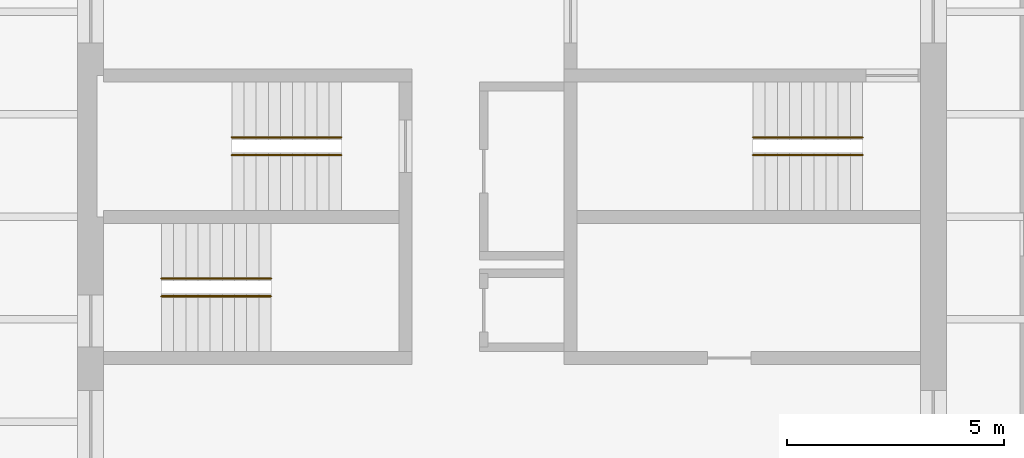
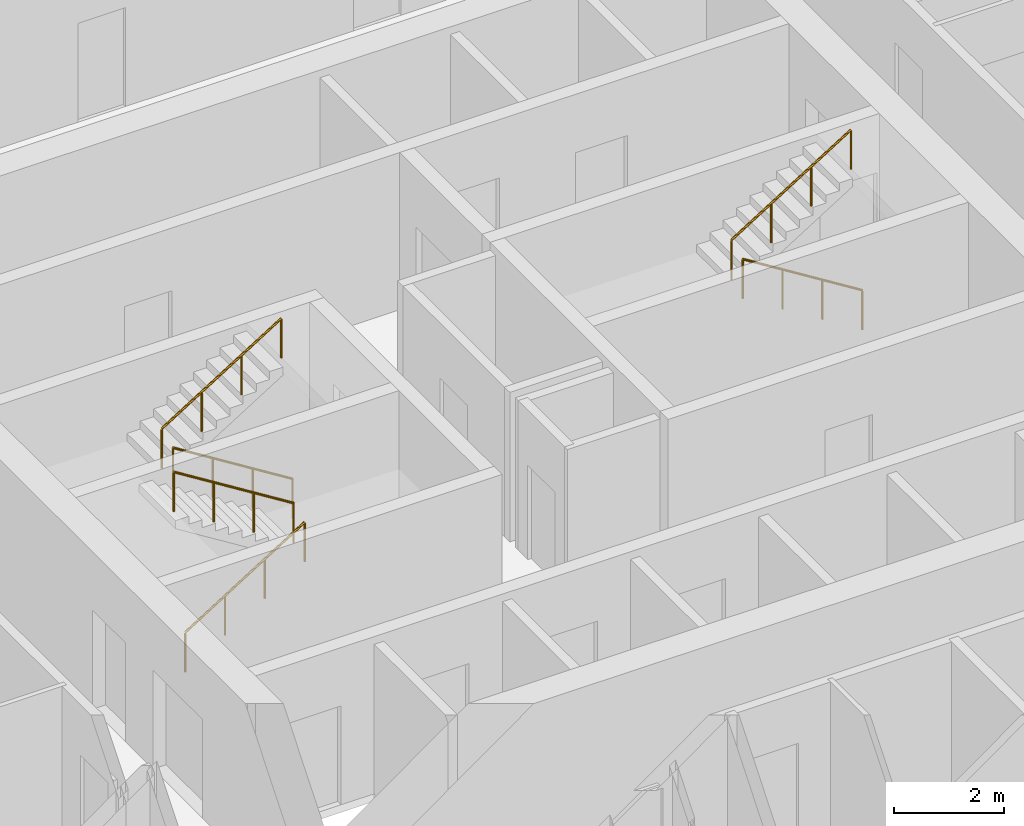
# One storey, part 9 of 9: 6 railings.
"""IFC4 building model written with IfcOpenShell, lengths in metres."""

from ifc_helpers import new_model, si_unit, direction, frame, origin, origin_2d, place, context, subcontext, project, spatial, circle, extrude, material, type_object, element, save


model = new_model("IFC4")

# Units and contexts
model_context = context("Model", 3, precision=1e-05, world=origin(), true_north=direction((0.0, 1.0)))
body_context = subcontext(model_context, "Body", "Model", "MODEL_VIEW")
ifc_project = project(units=[si_unit("LENGTHUNIT", "METRE"), si_unit("AREAUNIT", "SQUARE_METRE"), si_unit("VOLUMEUNIT", "CUBIC_METRE"), si_unit("PLANEANGLEUNIT", "RADIAN"), si_unit("MASSUNIT", "GRAM", prefix="KILO")], contexts=[model_context])

# Site, building, storey
site_placement = place(None, origin())
site = spatial("IfcSite", under=ifc_project, at=site_placement, CompositionType="ELEMENT")
building_placement = place(site_placement, origin())
building = spatial("IfcBuilding", under=site, at=building_placement, Name="Turquesa Mirador Hotel Tower", CompositionType="ELEMENT")
storey_placement = place(building_placement, frame((0.0, 0.0, 214.300048828125)))
storey = spatial("IfcBuildingStorey", under=building, at=storey_placement, Name="L58", CompositionType="ELEMENT", Elevation=214.300048828125)

# Railings
ifc_material = material(Name="Painted steel handrail", Category="steel")
railing_type = type_object("IfcRailingType", Name="HANDRAIL 900 STEEL", PredefinedType="HANDRAIL", material=ifc_material)
railing_1_placement = place(storey_placement, frame((51.070068359375, 46.419921875, 0.175048828125)))
element("IfcRailing", 1, at=railing_1_placement, inside=storey, type_object=railing_type, Name="Handrail ST1", PredefinedType="HANDRAIL", context=body_context, shape_type="SweptSolid", body=[
    extrude(circle(Radius=0.02392578125, at=origin_2d()), frame((0.0, 0.0, 0.8759765625), z_axis=(-0.848007534815, 0.0, 0.529984170421), x_axis=(0.0, -1.0, 0.0)), (0.0, 0.0, 1.0), 2.9716796875),
    extrude(circle(Radius=0.02099609375, at=origin_2d()), origin(), (0.0, 0.0, 1.0), 0.851806640625),
    extrude(circle(Radius=0.02099609375, at=origin_2d()), frame((-0.840087890625, 0.0, 0.52490234375)), (0.0, 0.0, 1.0), 0.851806640625),
    extrude(circle(Radius=0.02099609375, at=origin_2d()), frame((-1.679931640625, 0.0, 1.050048828125)), (0.0, 0.0, 1.0), 0.851806640625),
    extrude(circle(Radius=0.02099609375, at=origin_2d()), frame((-2.52001953125, 0.0, 1.574951171875)), (0.0, 0.0, 1.0), 0.851806640625),
])
for number, where, name in (
    (2, (48.550048828125, 46.830078125, 1.925048828125), "Handrail ST1"),
    (3, (46.929931640625, 43.169921875, 0.175048828125), "Handrail ST2"),
):
    element("IfcRailing", number, at=place(storey_placement, frame(where)), inside=storey, type_object=railing_type, Name=name, PredefinedType="HANDRAIL", context=body_context, shape_type="SweptSolid", body=[
        extrude(circle(Radius=0.02392578125, at=origin_2d()), frame((0.0, 0.0, 0.8759765625), z_axis=(0.848007534815, 0.0, 0.529984170421), x_axis=(0.0, 1.0, 0.0)), (0.0, 0.0, 1.0), 2.9716796875),
        extrude(circle(Radius=0.02099609375, at=origin_2d()), origin(), (0.0, 0.0, 1.0), 0.851806640625),
        extrude(circle(Radius=0.02099609375, at=origin_2d()), frame((0.840087890625, 0.0, 0.52490234375)), (0.0, 0.0, 1.0), 0.851806640625),
        extrude(circle(Radius=0.02099609375, at=origin_2d()), frame((1.679931640625, 0.0, 1.050048828125)), (0.0, 0.0, 1.0), 0.851806640625),
        extrude(circle(Radius=0.02099609375, at=origin_2d()), frame((2.52001953125, 0.0, 1.574951171875)), (0.0, 0.0, 1.0), 0.851806640625),
    ])
for number, where, name in (
    (4, (49.449951171875, 43.580078125, 1.925048828125), "Handrail ST2"),
    (5, (63.070068359375, 46.419921875, 0.175048828125), "Handrail ST3"),
):
    element("IfcRailing", number, at=place(storey_placement, frame(where)), inside=storey, type_object=railing_type, Name=name, PredefinedType="HANDRAIL", context=body_context, shape_type="SweptSolid", body=[
        extrude(circle(Radius=0.02392578125, at=origin_2d()), frame((0.0, 0.0, 0.8759765625), z_axis=(-0.848007534815, 0.0, 0.529984170421), x_axis=(0.0, -1.0, 0.0)), (0.0, 0.0, 1.0), 2.9716796875),
        extrude(circle(Radius=0.02099609375, at=origin_2d()), origin(), (0.0, 0.0, 1.0), 0.851806640625),
        extrude(circle(Radius=0.02099609375, at=origin_2d()), frame((-0.840087890625, 0.0, 0.52490234375)), (0.0, 0.0, 1.0), 0.851806640625),
        extrude(circle(Radius=0.02099609375, at=origin_2d()), frame((-1.679931640625, 0.0, 1.050048828125)), (0.0, 0.0, 1.0), 0.851806640625),
        extrude(circle(Radius=0.02099609375, at=origin_2d()), frame((-2.52001953125, 0.0, 1.574951171875)), (0.0, 0.0, 1.0), 0.851806640625),
    ])
railing_2_placement = place(storey_placement, frame((60.550048828125, 46.830078125, 1.925048828125)))
element("IfcRailing", 6, at=railing_2_placement, inside=storey, type_object=railing_type, Name="Handrail ST3", PredefinedType="HANDRAIL", context=body_context, shape_type="SweptSolid", body=[
    extrude(circle(Radius=0.02392578125, at=origin_2d()), frame((0.0, 0.0, 0.8759765625), z_axis=(0.848007534815, 0.0, 0.529984170421), x_axis=(0.0, 1.0, 0.0)), (0.0, 0.0, 1.0), 2.9716796875),
    extrude(circle(Radius=0.02099609375, at=origin_2d()), origin(), (0.0, 0.0, 1.0), 0.851806640625),
    extrude(circle(Radius=0.02099609375, at=origin_2d()), frame((0.840087890625, 0.0, 0.52490234375)), (0.0, 0.0, 1.0), 0.851806640625),
    extrude(circle(Radius=0.02099609375, at=origin_2d()), frame((1.679931640625, 0.0, 1.050048828125)), (0.0, 0.0, 1.0), 0.851806640625),
    extrude(circle(Radius=0.02099609375, at=origin_2d()), frame((2.52001953125, 0.0, 1.574951171875)), (0.0, 0.0, 1.0), 0.851806640625),
])

save(model, "model.ifc")
